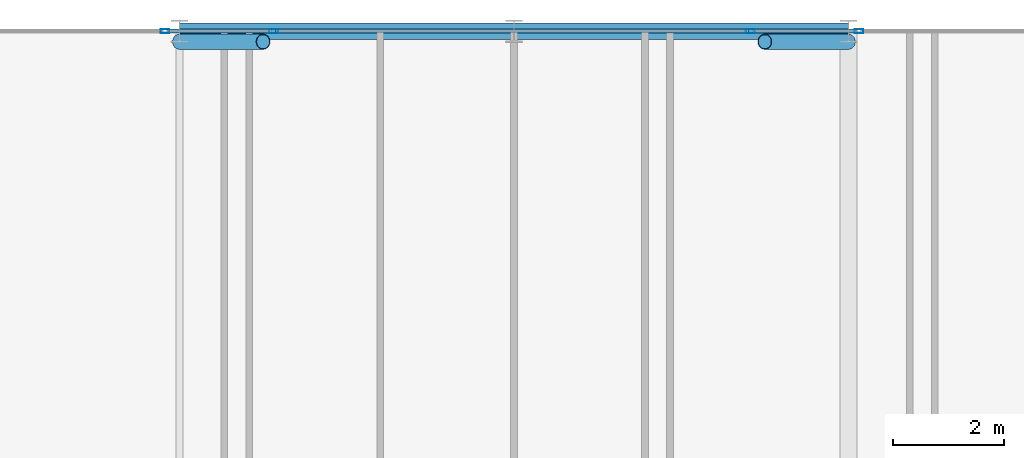
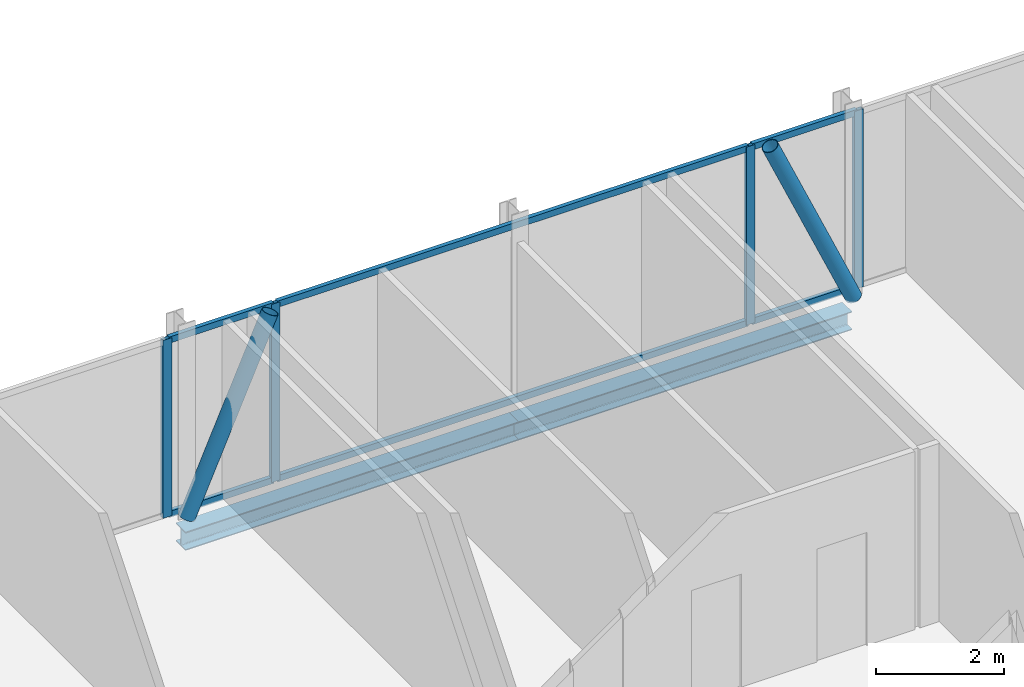
# One storey, part 17 of 27: 12 members, 2 beams, 4 elements without a shape of their own.
"""IFC4 building model written with IfcOpenShell, lengths in metres."""

from ifc_helpers import new_model, si_unit, direction, frame, origin, origin_2d, place, context, subcontext, project, spatial, hollow_rectangle, hollow_circle, i_section, extrude, material, layer, layer_set, material_profile, profile_set, type_object, element, aggregate, save


model = new_model("IFC4")

# Units and contexts
model_context = context("Model", 3, precision=1e-05, world=origin(), true_north=direction((0.0, 1.0)))
body_context = subcontext(model_context, "Body", "Model", "MODEL_VIEW")
ifc_project = project(units=[si_unit("LENGTHUNIT", "METRE"), si_unit("AREAUNIT", "SQUARE_METRE"), si_unit("VOLUMEUNIT", "CUBIC_METRE"), si_unit("PLANEANGLEUNIT", "RADIAN"), si_unit("MASSUNIT", "GRAM", prefix="KILO")], contexts=[model_context])

# Site, building, storey
site_placement = place(None, origin())
site = spatial("IfcSite", under=ifc_project, at=site_placement, CompositionType="ELEMENT")
building_placement = place(site_placement, origin())
building = spatial("IfcBuilding", under=site, at=building_placement, Name="Keshet Zoharim Tower", CompositionType="ELEMENT")
storey_placement = place(building_placement, frame((0.0, 0.0, 262.10009765625)))
storey = spatial("IfcBuildingStorey", under=building, at=storey_placement, Name="L65", CompositionType="ELEMENT", Elevation=262.10009765625)

# Beams
ifc_material_1 = material(Name="Steel S355", Category="steel")
ifc_material_profile_1 = material_profile(ifc_material_1, i_section(OverallWidth=0.300048828125, OverallDepth=0.35009765625, WebThickness=0.010009765625, FlangeThickness=0.017578125, FilletRadius=0.027099609375, at=origin_2d()), Name="HEA360")
ifc_profile_set_1 = profile_set([ifc_material_profile_1], Name="Steel S355")
beam_type = type_object("IfcBeamType", Name="BM-PRI-HA360", PredefinedType="BEAM", material=ifc_profile_set_1)
for number, where, z_axis, x_axis, name in (
    (1, (21.0, 53.89990234375, -0.485107421875), (1.0, 0.0, 0.0), (0.0, 1.0, 0.0), "L65 Primary Girder X-010"),
    (2, (27.0, 53.89990234375, -0.485107421875), (1.0, 0.0, 0.0), (0.0, 1.0, 0.0), "L65 Primary Girder X-011"),
):
    element("IfcBeam", number, at=place(storey_placement, frame(where, z_axis=z_axis, x_axis=x_axis)), inside=storey, type_object=beam_type, Name=name, PredefinedType="BEAM", context=body_context, shape_type="SweptSolid", body=[
        extrude(i_section(OverallWidth=0.300048828125, OverallDepth=0.35009765625, WebThickness=0.010009765625, FlangeThickness=0.017578125, FilletRadius=0.027099609375, at=origin_2d()), origin(), (0.0, 0.0, 1.0), 6.0),
    ])

# Curtain wall, member
ifc_material_2 = material(Name="Aluminium 6063-T6", Category="aluminium")
ifc_layer = layer(ifc_material_2, 0.260009765625)
ifc_layer_set = layer_set([ifc_layer], Name="Aluminium 6063-T6")
curtain_wall_type = type_object("IfcCurtainWallType", Name="CW-SYS-06", PredefinedType="NOTDEFINED", material=ifc_layer_set)
curtain_wall_1_placement = place(storey_placement, origin())
curtain_wall_1 = element("IfcCurtainWall", 3, at=curtain_wall_1_placement, inside=storey, type_object=curtain_wall_type, Name="L65 Unitised Curtain Wall 06", PredefinedType="NOTDEFINED")
ifc_material_profile_2 = material_profile(ifc_material_2, hollow_rectangle(XDim=0.074951171875, YDim=0.159912109375, WallThickness=0.00390625, at=origin_2d()), Name="MUL-75x160")
ifc_profile_set_2 = profile_set([ifc_material_profile_2], Name="Aluminium 6063-T6")
member_type_1 = type_object("IfcMemberType", Name="CWM-M15", PredefinedType="MULLION", material=ifc_profile_set_2)
member_1_placement = place(storey_placement, frame((20.740234375, 53.89990234375, 0.0), z_axis=(0.0, 0.0, 1.0), x_axis=(0.0, 1.0, 0.0)))
member_1 = element("IfcMember", 4, at=member_1_placement, type_object=member_type_1, Name="CW-06 mullion 2", PredefinedType="MULLION", context=body_context, shape_type="SweptSolid", body=[
    extrude(hollow_rectangle(XDim=0.074951171875, YDim=0.159912109375, WallThickness=0.00390625, at=origin_2d()), origin(), (0.0, 0.0, 1.0), 3.389892578125),
])
aggregate(curtain_wall_1, [member_1])

curtain_wall_2_placement = place(storey_placement, origin())
curtain_wall_2 = element("IfcCurtainWall", 5, at=curtain_wall_2_placement, inside=storey, type_object=curtain_wall_type, Name="L65 Unitised Curtain Wall 06 Part 2", PredefinedType="NOTDEFINED")
member_2_placement = place(storey_placement, frame((22.689697265625, 53.89990234375, 0.0), z_axis=(0.0, 0.0, 1.0), x_axis=(0.0, 1.0, 0.0)))
member_2 = element("IfcMember", 6, at=member_2_placement, type_object=member_type_1, Name="CW-06 mullion 2", PredefinedType="MULLION", context=body_context, shape_type="SweptSolid", body=[
    extrude(hollow_rectangle(XDim=0.074951171875, YDim=0.159912109375, WallThickness=0.00390625, at=origin_2d()), origin(), (0.0, 0.0, 1.0), 3.389892578125),
])

curtain_wall_3_placement = place(storey_placement, origin())
curtain_wall_3 = element("IfcCurtainWall", 7, at=curtain_wall_3_placement, inside=storey, type_object=curtain_wall_type, Name="L65 Unitised Curtain Wall 06 Part 3", PredefinedType="NOTDEFINED")
member_3_placement = place(storey_placement, frame((31.240234375, 53.89990234375, 0.0), z_axis=(0.0, 0.0, 1.0), x_axis=(0.0, 1.0, 0.0)))
member_3 = element("IfcMember", 8, at=member_3_placement, type_object=member_type_1, Name="CW-06 mullion 2", PredefinedType="MULLION", context=body_context, shape_type="SweptSolid", body=[
    extrude(hollow_rectangle(XDim=0.074951171875, YDim=0.159912109375, WallThickness=0.00390625, at=origin_2d()), origin(), (0.0, 0.0, 1.0), 3.389892578125),
])

curtain_wall_4_placement = place(storey_placement, origin())
curtain_wall_4 = element("IfcCurtainWall", 9, at=curtain_wall_4_placement, inside=storey, type_object=curtain_wall_type, Name="L65 Unitised Curtain Wall 06 Part 4", PredefinedType="NOTDEFINED")
member_4_placement = place(storey_placement, frame((33.189697265625, 53.89990234375, 0.0), z_axis=(0.0, 0.0, 1.0), x_axis=(0.0, 1.0, 0.0)))
member_4 = element("IfcMember", 10, at=member_4_placement, type_object=member_type_1, Name="CW-06 mullion 2", PredefinedType="MULLION", context=body_context, shape_type="SweptSolid", body=[
    extrude(hollow_rectangle(XDim=0.074951171875, YDim=0.159912109375, WallThickness=0.00390625, at=origin_2d()), origin(), (0.0, 0.0, 1.0), 3.389892578125),
])

# Member
ifc_material_profile_3 = material_profile(ifc_material_2, hollow_rectangle(XDim=0.074951171875, YDim=0.1201171875, WallThickness=0.00390625, at=origin_2d()), Name="TRN-75x120")
ifc_profile_set_3 = profile_set([ifc_material_profile_3], Name="Aluminium 6063-T6")
member_type_2 = type_object("IfcMemberType", Name="CWT-T12", PredefinedType="USERDEFINED", material=ifc_profile_set_3)
member_5_placement = place(storey_placement, frame((20.775146484375, 53.89990234375, 0.034912109375), z_axis=(1.0, 0.0, 0.0), x_axis=(0.0, 1.0, 0.0)))
member_5 = element("IfcMember", 11, at=member_5_placement, type_object=member_type_2, Name="CW-06 transom 1.1", ObjectType="TRANSOM", PredefinedType="USERDEFINED", context=body_context, shape_type="SweptSolid", body=[
    extrude(hollow_rectangle(XDim=0.074951171875, YDim=0.1201171875, WallThickness=0.00390625, at=origin_2d()), origin(), (0.0, 0.0, 1.0), 1.879638671875),
])

member_6_placement = place(storey_placement, frame((20.775146484375, 53.89990234375, 3.35498046875), z_axis=(1.0, 0.0, 0.0), x_axis=(0.0, 1.0, 0.0)))
member_6 = element("IfcMember", 12, at=member_6_placement, type_object=member_type_2, Name="CW-06 transom 1.2", ObjectType="TRANSOM", PredefinedType="USERDEFINED", context=body_context, shape_type="SweptSolid", body=[
    extrude(hollow_rectangle(XDim=0.074951171875, YDim=0.1201171875, WallThickness=0.00390625, at=origin_2d()), origin(), (0.0, 0.0, 1.0), 1.879638671875),
])

aggregate(curtain_wall_2, [member_2, member_5, member_6])

member_7_placement = place(storey_placement, frame((22.724853515625, 53.89990234375, 0.034912109375), z_axis=(1.0, 0.0, 0.0), x_axis=(0.0, 1.0, 0.0)))
member_7 = element("IfcMember", 13, at=member_7_placement, type_object=member_type_2, Name="CW-06 transom 1.1", ObjectType="TRANSOM", PredefinedType="USERDEFINED", context=body_context, shape_type="SweptSolid", body=[
    extrude(hollow_rectangle(XDim=0.074951171875, YDim=0.1201171875, WallThickness=0.00390625, at=origin_2d()), origin(), (0.0, 0.0, 1.0), 8.480224609375),
])

member_8_placement = place(storey_placement, frame((22.724853515625, 53.89990234375, 3.35498046875), z_axis=(1.0, 0.0, 0.0), x_axis=(0.0, 1.0, 0.0)))
member_8 = element("IfcMember", 14, at=member_8_placement, type_object=member_type_2, Name="CW-06 transom 1.2", ObjectType="TRANSOM", PredefinedType="USERDEFINED", context=body_context, shape_type="SweptSolid", body=[
    extrude(hollow_rectangle(XDim=0.074951171875, YDim=0.1201171875, WallThickness=0.00390625, at=origin_2d()), origin(), (0.0, 0.0, 1.0), 8.480224609375),
])

aggregate(curtain_wall_3, [member_3, member_7, member_8])

member_9_placement = place(storey_placement, frame((31.275146484375, 53.89990234375, 0.034912109375), z_axis=(1.0, 0.0, 0.0), x_axis=(0.0, 1.0, 0.0)))
member_9 = element("IfcMember", 15, at=member_9_placement, type_object=member_type_2, Name="CW-06 transom 1.1", ObjectType="TRANSOM", PredefinedType="USERDEFINED", context=body_context, shape_type="SweptSolid", body=[
    extrude(hollow_rectangle(XDim=0.074951171875, YDim=0.1201171875, WallThickness=0.00390625, at=origin_2d()), origin(), (0.0, 0.0, 1.0), 1.879638671875),
])

member_10_placement = place(storey_placement, frame((31.275146484375, 53.89990234375, 3.35498046875), z_axis=(1.0, 0.0, 0.0), x_axis=(0.0, 1.0, 0.0)))
member_10 = element("IfcMember", 16, at=member_10_placement, type_object=member_type_2, Name="CW-06 transom 1.2", ObjectType="TRANSOM", PredefinedType="USERDEFINED", context=body_context, shape_type="SweptSolid", body=[
    extrude(hollow_rectangle(XDim=0.074951171875, YDim=0.1201171875, WallThickness=0.00390625, at=origin_2d()), origin(), (0.0, 0.0, 1.0), 1.879638671875),
])

aggregate(curtain_wall_4, [member_4, member_9, member_10])

# Members
ifc_material_profile_4 = material_profile(ifc_material_1, hollow_circle(Radius=0.136474609375, WallThickness=0.010009765625, at=origin_2d()), Name="CHS273x10")
ifc_profile_set_4 = profile_set([ifc_material_profile_4], Name="Steel S355")
member_type_3 = type_object("IfcMemberType", Name="MB-BR-C273", PredefinedType="BRACE", material=ifc_profile_set_4)
for number, where, z_axis, x_axis, name in (
    (17, (21.0, 53.7099609375, 0.0), (0.40464689807, 0.0, 0.914473011019), (0.0, 1.0, 0.0), "L65 Perimeter Tube Brace 03"),
    (18, (33.0, 53.7099609375, 0.0), (-0.40464689807, 0.0, 0.914473011019), (0.0, -1.0, 0.0), "L65 Perimeter Tube Brace 04"),
):
    element("IfcMember", number, at=place(storey_placement, frame(where, z_axis=z_axis, x_axis=x_axis)), inside=storey, type_object=member_type_3, Name=name, PredefinedType="BRACE", context=body_context, shape_type="SweptSolid", body=[
        extrude(hollow_circle(Radius=0.136474609375, WallThickness=0.010009765625, at=origin_2d()), origin(), (0.0, 0.0, 1.0), 3.70703125),
    ])

save(model, "model.ifc")
